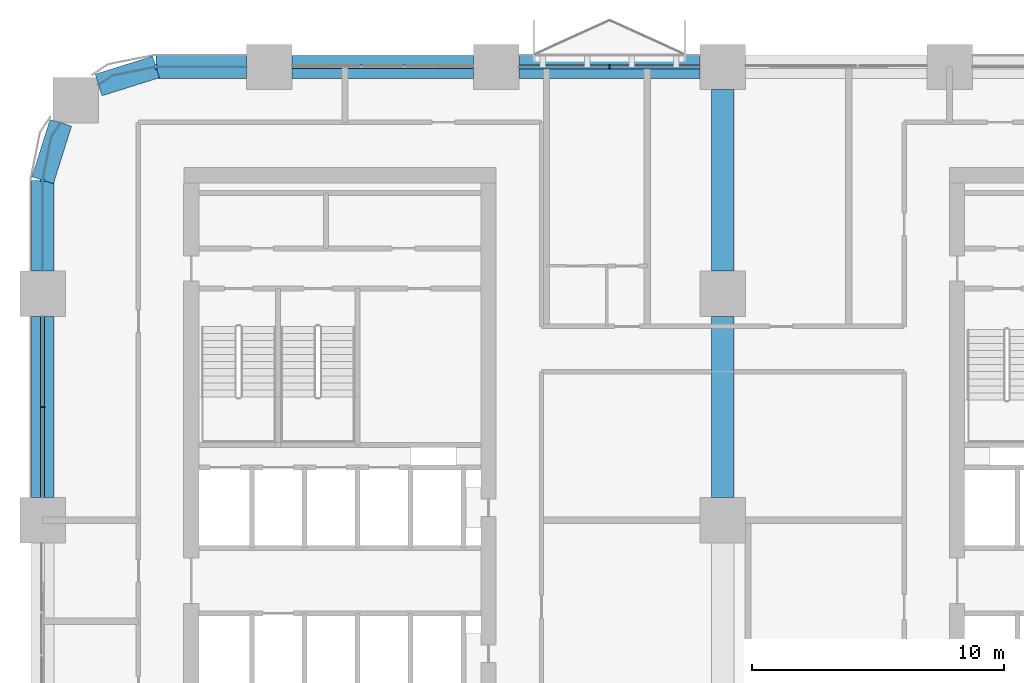
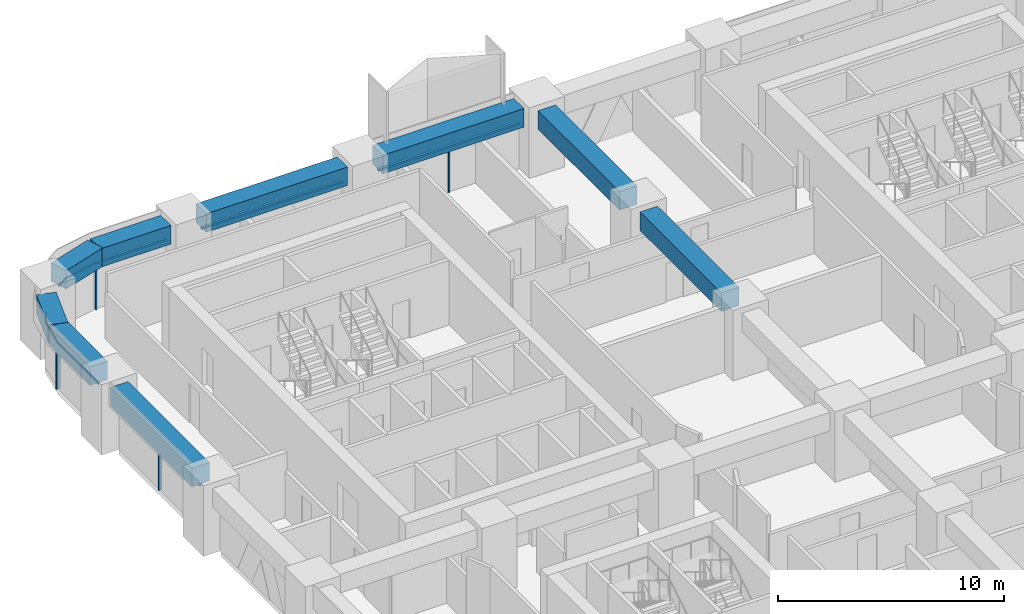
# One storey, part 8 of 23: 9 beams, 9 members, 5 elements without a shape of their own.
"""IFC4 building model written with IfcOpenShell, lengths in metres."""

from ifc_helpers import new_model, si_unit, direction, frame, origin, origin_2d, place, context, subcontext, project, spatial, polyline, rectangle, outline, extrude, material, material_profile, profile_set, type_object, element, aggregate, save


model = new_model("IFC4")

# Units and contexts
model_context = context("Model", 3, precision=1e-05, world=origin(), true_north=direction((0.0, 1.0)))
body_context = subcontext(model_context, "Body", "Model", "MODEL_VIEW")
ifc_project = project(units=[si_unit("LENGTHUNIT", "METRE"), si_unit("AREAUNIT", "SQUARE_METRE"), si_unit("VOLUMEUNIT", "CUBIC_METRE"), si_unit("PLANEANGLEUNIT", "RADIAN"), si_unit("MASSUNIT", "GRAM", prefix="KILO")], contexts=[model_context])

# Site, building, storey
site_placement = place(None, origin())
site = spatial("IfcSite", under=ifc_project, at=site_placement, CompositionType="ELEMENT")
building_placement = place(site_placement, origin())
building = spatial("IfcBuilding", under=site, at=building_placement, Name="Tessera Arch", CompositionType="ELEMENT")
storey_placement = place(building_placement, frame((0.0, 0.0, 34.800048828125)))
storey = spatial("IfcBuildingStorey", under=building, at=storey_placement, Name="L06", CompositionType="ELEMENT", Elevation=34.800048828125)

# Curtain wall, member
ifc_material_1 = material(Name="CW1 curtain wall")
curtain_wall_type_1 = type_object("IfcCurtainWallType", Name="CW1 curtain wall", PredefinedType="NOTDEFINED", material=ifc_material_1)
curtain_wall_1_placement = place(storey_placement, origin())
curtain_wall_1 = element("IfcCurtainWall", 1, at=curtain_wall_1_placement, inside=storey, type_object=curtain_wall_type_1, Name="CW1 curtain wall N54.0/3 L06", PredefinedType="NOTDEFINED")
ifc_material_2 = material(Name="Anodised aluminium pale metal", Category="aluminium")
ifc_material_profile_1 = material_profile(ifc_material_2, rectangle(XDim=0.159912109375, YDim=0.06005859375, at=origin_2d()), Name="AL 60x160")
ifc_profile_set_1 = profile_set([ifc_material_profile_1], Name="Anodised aluminium pale metal")
member_type_1 = type_object("IfcMemberType", Name="CW1 mullion", PredefinedType="MULLION", material=ifc_profile_set_1)
member_1_placement = place(storey_placement, frame((22.5, 54.0, 0.0), z_axis=(0.0, 0.0, 1.0), x_axis=(0.0, -1.0, 0.0)))
member_1 = element("IfcMember", 2, at=member_1_placement, type_object=member_type_1, Name="CW1 mullion N54.0/3 1", PredefinedType="MULLION", context=body_context, shape_type="SweptSolid", body=[
    extrude(rectangle(XDim=0.159912109375, YDim=0.06005859375, at=origin_2d()), origin(), (0.0, 0.0, 1.0), 2.39990234375),
])

curtain_wall_2_placement = place(storey_placement, origin())
curtain_wall_2 = element("IfcCurtainWall", 3, at=curtain_wall_2_placement, inside=storey, type_object=curtain_wall_type_1, Name="CW1 curtain wall W0.0/1 L06", PredefinedType="NOTDEFINED")
member_2_placement = place(storey_placement, frame((0.0, 40.5, 0.0), z_axis=(0.0, 0.0, 1.0), x_axis=(1.0, 0.0, 0.0)))
member_2 = element("IfcMember", 4, at=member_2_placement, type_object=member_type_1, Name="CW1 mullion W0.0/1 1", PredefinedType="MULLION", context=body_context, shape_type="SweptSolid", body=[
    extrude(rectangle(XDim=0.159912109375, YDim=0.06005859375, at=origin_2d()), origin(), (0.0, 0.0, 1.0), 2.39990234375),
])

# Member
ifc_material_3 = material(Name="Anodised aluminium pale metal", Category="aluminium")
ifc_material_profile_2 = material_profile(ifc_material_3, rectangle(XDim=0.159912109375, YDim=0.10009765625, at=origin_2d()), Name="AL 160x100")
ifc_profile_set_2 = profile_set([ifc_material_profile_2], Name="Anodised aluminium pale metal")
member_type_2 = type_object("IfcMemberType", Name="CW1 transom", PredefinedType="USERDEFINED", material=ifc_profile_set_2)
member_3_placement = place(storey_placement, frame((26.10009765625, 54.0, 2.449951171875), z_axis=(-1.0, 0.0, 0.0), x_axis=(0.0, -1.0, 0.0)))
member_3 = element("IfcMember", 5, at=member_3_placement, type_object=member_type_2, Name="CW1 transom N54.0/3 1.1", ObjectType="TRANSOM", PredefinedType="USERDEFINED", context=body_context, shape_type="SweptSolid", body=[
    extrude(rectangle(XDim=0.159912109375, YDim=0.10009765625, at=origin_2d()), origin(), (0.0, 0.0, 1.0), 7.2001953125),
])

aggregate(curtain_wall_1, [member_1, member_3])

member_4_placement = place(storey_placement, frame((0.0, 44.10009765625, 2.449951171875), z_axis=(0.0, -1.0, 0.0), x_axis=(1.0, 0.0, 0.0)))
member_4 = element("IfcMember", 6, at=member_4_placement, type_object=member_type_2, Name="CW1 transom W0.0/1 1.1", ObjectType="TRANSOM", PredefinedType="USERDEFINED", context=body_context, shape_type="SweptSolid", body=[
    extrude(rectangle(XDim=0.159912109375, YDim=0.10009765625, at=origin_2d()), origin(), (0.0, 0.0, 1.0), 7.2001953125),
])

aggregate(curtain_wall_2, [member_2, member_4])

# Curtain wall, member
ifc_material_4 = material(Name="CW2 curtain wall")
curtain_wall_type_2 = type_object("IfcCurtainWallType", Name="CW2 curtain wall", PredefinedType="NOTDEFINED", material=ifc_material_4)
curtain_wall_3_placement = place(storey_placement, origin())
curtain_wall_3 = element("IfcCurtainWall", 7, at=curtain_wall_3_placement, inside=storey, type_object=curtain_wall_type_2, Name="CW2 curtain wall N54.0/5 L06", PredefinedType="NOTDEFINED")
ifc_material_5 = material(Name="Anodised aluminium pale metal", Category="aluminium")
ifc_material_profile_3 = material_profile(ifc_material_5, rectangle(XDim=0.199951171875, YDim=0.080078125, at=origin_2d()), Name="AL 80x200")
ifc_profile_set_3 = profile_set([ifc_material_profile_3], Name="Anodised aluminium pale metal")
member_type_3 = type_object("IfcMemberType", Name="CW2 mullion", PredefinedType="MULLION", material=ifc_profile_set_3)
member_5_placement = place(storey_placement, frame((4.5, 54.0, 0.0), z_axis=(0.0, 0.0, 1.0), x_axis=(0.0, -1.0, 0.0)))
member_5 = element("IfcMember", 8, at=member_5_placement, type_object=member_type_3, Name="CW2 mullion N54.0/5 1", PredefinedType="MULLION", context=body_context, shape_type="SweptSolid", body=[
    extrude(rectangle(XDim=0.199951171875, YDim=0.080078125, at=origin_2d()), origin(), (0.0, 0.0, 1.0), 2.39990234375),
])

curtain_wall_4_placement = place(storey_placement, origin())
curtain_wall_4 = element("IfcCurtainWall", 9, at=curtain_wall_4_placement, inside=storey, type_object=curtain_wall_type_2, Name="CW2 curtain wall W0.0/0 L06", PredefinedType="NOTDEFINED")
member_6_placement = place(storey_placement, frame((0.0, 49.5, 0.0), z_axis=(0.0, 0.0, 1.0), x_axis=(1.0, 0.0, 0.0)))
member_6 = element("IfcMember", 10, at=member_6_placement, type_object=member_type_3, Name="CW2 mullion W0.0/0 1", PredefinedType="MULLION", context=body_context, shape_type="SweptSolid", body=[
    extrude(rectangle(XDim=0.199951171875, YDim=0.080078125, at=origin_2d()), origin(), (0.0, 0.0, 1.0), 2.39990234375),
])

# Member
ifc_material_6 = material(Name="Anodised aluminium pale metal", Category="aluminium")
ifc_material_profile_4 = material_profile(ifc_material_6, rectangle(XDim=0.199951171875, YDim=0.10009765625, at=origin_2d()), Name="AL 200x100")
ifc_profile_set_4 = profile_set([ifc_material_profile_4], Name="Anodised aluminium pale metal")
member_type_4 = type_object("IfcMemberType", Name="CW2 transom", PredefinedType="USERDEFINED", material=ifc_profile_set_4)
member_7_placement = place(storey_placement, frame((0.0, 0.0, 2.39990234375)))
member_7 = element("IfcMember", 11, at=member_7_placement, type_object=member_type_4, Name="CW2 transom N54.0/5 1", ObjectType="TRANSOM", PredefinedType="USERDEFINED", context=body_context, shape_type="SweptSolid", body=[
    extrude(outline(polyline([(4.5009765625, 53.989990234375), (8.10009765625, 53.989990234375), (8.10009765625, 54.010009765625), (4.4990234375, 54.010009765625), (2.77392578125, 53.6669921875), (2.21240234375, 53.29150390625), (2.2236328125, 53.27490234375), (2.78173828125, 53.648193359375), (4.5009765625, 53.989990234375)])), origin(), (0.0, 0.0, 1.0), 0.10009765625),
])

aggregate(curtain_wall_3, [member_5, member_7])

member_8_placement = place(storey_placement, frame((0.0, 0.0, 2.39990234375)))
member_8 = element("IfcMember", 12, at=member_8_placement, type_object=member_type_4, Name="CW2 transom W0.0/0 1", ObjectType="TRANSOM", PredefinedType="USERDEFINED", context=body_context, shape_type="SweptSolid", body=[
    extrude(outline(polyline([(0.351806640625, 51.21826171875), (0.72509765625, 51.7763671875), (0.70849609375, 51.78759765625), (0.3330078125, 51.22607421875), (-0.010009765625, 49.5009765625), (-0.010009765625, 45.89990234375), (0.010009765625, 45.89990234375), (0.010009765625, 49.4990234375), (0.351806640625, 51.21826171875)])), origin(), (0.0, 0.0, 1.0), 0.10009765625),
])

aggregate(curtain_wall_4, [member_6, member_8])

# Curtain wall, member
ifc_material_7 = material(Name="CW3 curtain wall")
curtain_wall_type_3 = type_object("IfcCurtainWallType", Name="CW3 curtain wall", PredefinedType="NOTDEFINED", material=ifc_material_7)
curtain_wall_5_placement = place(storey_placement, origin())
curtain_wall_5 = element("IfcCurtainWall", 13, at=curtain_wall_5_placement, inside=storey, type_object=curtain_wall_type_3, Name="CW3 curtain wall N54.0/4 L06", PredefinedType="NOTDEFINED")
ifc_material_8 = material(Name="Anodised aluminium pale metal", Category="aluminium")
ifc_material_profile_5 = material_profile(ifc_material_8, rectangle(XDim=0.139892578125, YDim=0.10009765625, at=origin_2d()), Name="AL 140x100")
ifc_profile_set_5 = profile_set([ifc_material_profile_5], Name="Anodised aluminium pale metal")
member_type_5 = type_object("IfcMemberType", Name="CW3 transom", PredefinedType="USERDEFINED", material=ifc_profile_set_5)
member_9_placement = place(storey_placement, frame((17.10009765625, 54.0, 2.449951171875), z_axis=(-1.0, 0.0, 0.0), x_axis=(0.0, -1.0, 0.0)))
member_9 = element("IfcMember", 14, at=member_9_placement, type_object=member_type_5, Name="CW3 transom N54.0/4 1.1", ObjectType="TRANSOM", PredefinedType="USERDEFINED", context=body_context, shape_type="SweptSolid", body=[
    extrude(rectangle(XDim=0.139892578125, YDim=0.10009765625, at=origin_2d()), origin(), (0.0, 0.0, 1.0), 7.2001953125),
])
aggregate(curtain_wall_5, [member_9])

# Beams
ifc_material_9 = material(Name="Concrete C80/95", Category="concrete")
ifc_material_profile_6 = material_profile(ifc_material_9, rectangle(XDim=0.89990234375, YDim=1.0, at=origin_2d()), Name="RC spandrel beam 900 x 1000 Concrete C80/95")
ifc_profile_set_6 = profile_set([ifc_material_profile_6], Name="Concrete C80/95")
beam_type = type_object("IfcBeamType", Name="RC spandrel beam 900 x 1000 Concrete C80/95", PredefinedType="BEAM", material=ifc_profile_set_6)
for number, where, z_axis, x_axis, name in (
    (15, (26.10009765625, 54.0, 3.0), (-1.0, 0.0, 0.0), (0.0, -1.0, 0.0), "Spandrel beam L06 N54.0/3"),
    (16, (17.10009765625, 54.0, 3.0), (-1.0, 0.0, 0.0), (0.0, -1.0, 0.0), "Spandrel beam L06 N54.0/4"),
):
    element("IfcBeam", number, at=place(storey_placement, frame(where, z_axis=z_axis, x_axis=x_axis)), inside=storey, type_object=beam_type, Name=name, PredefinedType="BEAM", context=body_context, shape_type="SweptSolid", body=[
        extrude(rectangle(XDim=0.89990234375, YDim=1.0, at=origin_2d()), origin(), (0.0, 0.0, 1.0), 7.2001953125),
    ])
beam_1_placement = place(storey_placement, frame((8.10009765625, 54.0, 3.0), z_axis=(-1.0, 0.0, 0.0), x_axis=(0.0, -1.0, 0.0)))
element("IfcBeam", 17, at=beam_1_placement, inside=storey, type_object=beam_type, Name="Spandrel beam L06 N54.0/5.1", PredefinedType="BEAM", context=body_context, shape_type="SweptSolid", body=[
    extrude(rectangle(XDim=0.89990234375, YDim=1.0, at=origin_2d()), origin(), (0.0, 0.0, 1.0), 3.60009765625),
])
for number, where, z_axis, x_axis, name in (
    (18, (4.5, 54.0, 3.0), (-0.954041251279, -0.299675309057, 0.0), (0.299675309057, -0.954041251279, 0.0), "Spandrel beam L06 N54.0/5.2"),
    (19, (0.716796875, 51.781982421875, 3.0), (-0.299675309057, -0.954041251279, 0.0), (0.954041251279, -0.299675309057, 0.0), "Spandrel beam L06 W0.0/0.1"),
):
    element("IfcBeam", number, at=place(storey_placement, frame(where, z_axis=z_axis, x_axis=x_axis)), inside=storey, type_object=beam_type, Name=name, PredefinedType="BEAM", context=body_context, shape_type="SweptSolid", body=[
        extrude(rectangle(XDim=0.89990234375, YDim=1.0, at=origin_2d()), origin(), (0.0, 0.0, 1.0), 2.391845703125),
    ])
beam_2_placement = place(storey_placement, frame((0.0, 49.5, 3.0), z_axis=(0.0, -1.0, 0.0), x_axis=(1.0, 0.0, 0.0)))
element("IfcBeam", 20, at=beam_2_placement, inside=storey, type_object=beam_type, Name="Spandrel beam L06 W0.0/0.2", PredefinedType="BEAM", context=body_context, shape_type="SweptSolid", body=[
    extrude(rectangle(XDim=0.89990234375, YDim=1.0, at=origin_2d()), origin(), (0.0, 0.0, 1.0), 3.60009765625),
])
for number, where, z_axis, x_axis, name in (
    (21, (0.0, 44.10009765625, 3.0), (0.0, -1.0, 0.0), (1.0, 0.0, 0.0), "Spandrel beam L06 W0.0/1"),
    (22, (27.0, 36.89990234375, 3.0), (0.0, 1.0, 0.0), (-1.0, 0.0, 0.0), "Interface beam L06 I0C4E-C4F"),
    (23, (27.0, 45.89990234375, 3.0), (0.0, 1.0, 0.0), (-1.0, 0.0, 0.0), "Interface beam L06 I0C4F-C4G"),
):
    element("IfcBeam", number, at=place(storey_placement, frame(where, z_axis=z_axis, x_axis=x_axis)), inside=storey, type_object=beam_type, Name=name, PredefinedType="BEAM", context=body_context, shape_type="SweptSolid", body=[
        extrude(rectangle(XDim=0.89990234375, YDim=1.0, at=origin_2d()), origin(), (0.0, 0.0, 1.0), 7.2001953125),
    ])

save(model, "model.ifc")
